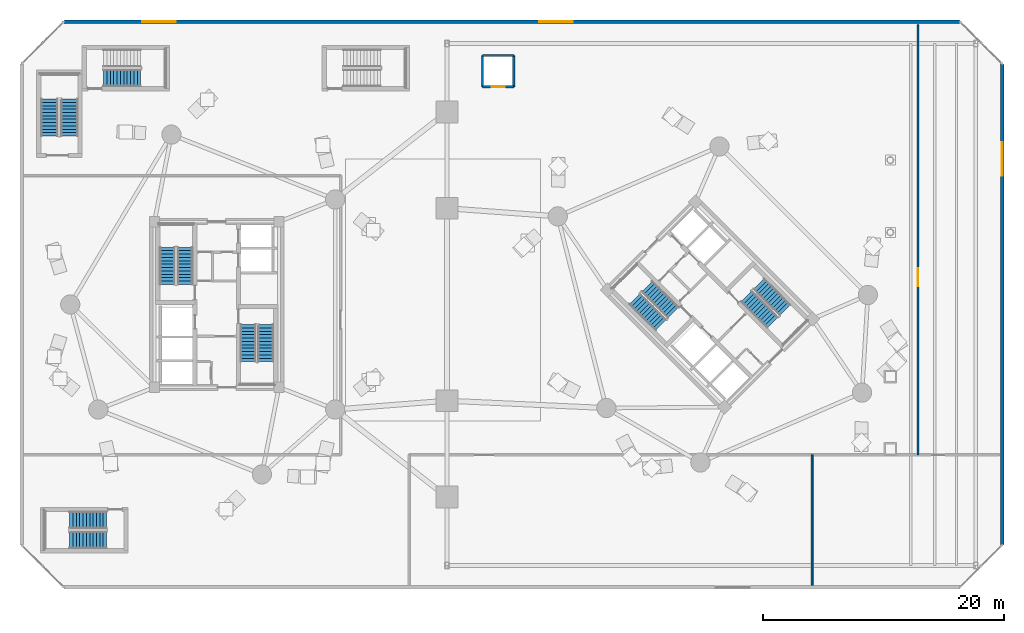
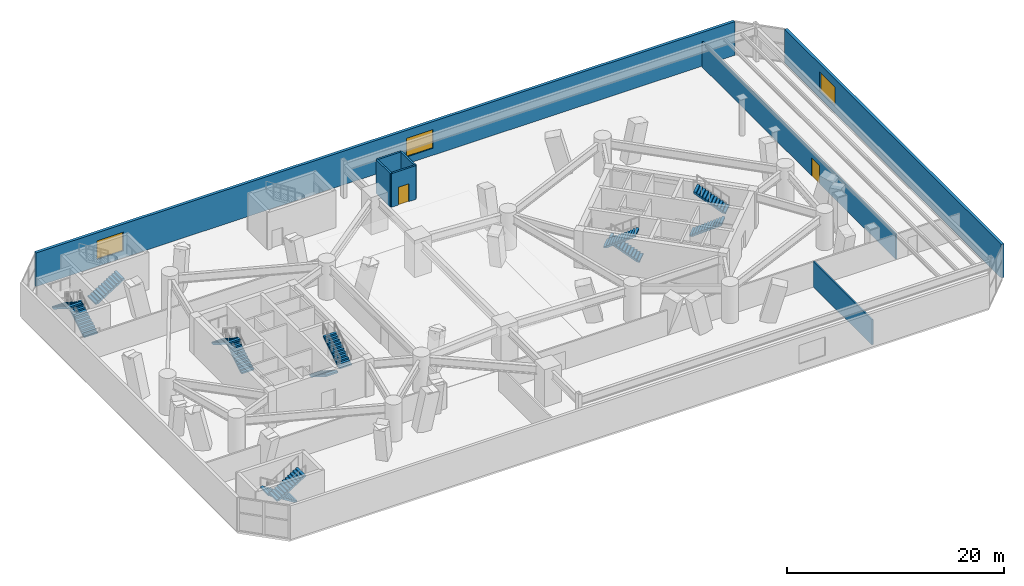
# One storey, part 14 of 20: 13 stair flights, 8 walls, 3 windows, 2 doors, 5 openings, 7 elements without a shape of their own.
"""IFC4 building model written with IfcOpenShell, lengths in metres."""

from ifc_helpers import new_model, si_unit, direction, frame, frame_2d, origin, place, context, subcontext, project, spatial, polyline, rectangle, outline, extrude, source, transform, mapped, material, layer, layer_set, type_object, element, fill, aggregate, save


model = new_model("IFC4")

# Units and contexts
model_context = context("Model", 3, precision=1e-05, world=origin(), true_north=direction((0.0, 1.0)))
body_context = subcontext(model_context, "Body", "Model", "MODEL_VIEW")
ifc_project = project(units=[si_unit("LENGTHUNIT", "METRE"), si_unit("AREAUNIT", "SQUARE_METRE"), si_unit("VOLUMEUNIT", "CUBIC_METRE"), si_unit("PLANEANGLEUNIT", "RADIAN"), si_unit("MASSUNIT", "GRAM", prefix="KILO")], contexts=[model_context])

# Site, building, storey
site_placement = place(None, origin())
site = spatial("IfcSite", under=ifc_project, at=site_placement, CompositionType="ELEMENT")
building_placement = place(site_placement, origin())
building = spatial("IfcBuilding", under=site, at=building_placement, Name="Cununo Teusaquillo Station Towers", CompositionType="ELEMENT")
storey_placement = place(building_placement, frame((0.0, 0.0, 13.199951171875)))
storey = spatial("IfcBuildingStorey", under=building, at=storey_placement, Name="L03", CompositionType="ELEMENT", Elevation=13.199951171875)

# Wall, openings, windows
ifc_material_1 = material(Name="Precast concrete C40/50", Category="concrete")
ifc_layer_1 = layer(ifc_material_1, 0.300048828125)
ifc_layer_set_1 = layer_set([ifc_layer_1], Name="Precast concrete C40/50")
wall_type_1 = type_object("IfcWallType", Name="WL-EXT-300", PredefinedType="SOLIDWALL", material=ifc_layer_set_1)
wall_1_placement = place(storey_placement, frame((3.800048828125, 48.0, 0.0), z_axis=(0.0, 0.0, 1.0), x_axis=(1.0, 0.0, 0.0)))
wall_1 = element("IfcWall", 1, at=wall_1_placement, inside=storey, type_object=wall_type_1, Name="L03 Station Podium Facade Wall 3", PredefinedType="SOLIDWALL", context=body_context, shape_type="SweptSolid", body=[
    extrude(rectangle(XDim=74.5, YDim=0.300048828125, at=frame_2d((37.25, 0.0))), origin(), (0.0, 0.0, 1.0), 3.800048828125),
])
shared_shape_1 = source(origin(), body_context, "Body", "SweptSolid", [
    extrude(rectangle(XDim=2.800048828125, YDim=2.10009765625, at=frame_2d((1.39990234375, 1.050048828125))), frame((0.0, 0.159912109375, 0.0), z_axis=(0.0, -1.0, 0.0), x_axis=(1.0, 0.0, 0.0)), (0.0, 0.0, 1.0), 0.320068359375),
])
opening_1_placement = place(wall_1_placement, frame((6.5, 0.0, 0.800048828125)))
opening_1 = element("IfcOpeningElement", 2, at=opening_1_placement, cuts=wall_1, Name="Opening WN-05", PredefinedType="OPENING", context=body_context, shape_type="MappedRepresentation", body=[
    mapped(shared_shape_1, transform((0.0, 0.0, 0.0), x_axis=(1.0, 0.0, 0.0), y_axis=(0.0, 1.0, 0.0), z_axis=(0.0, 0.0, 1.0), scale=1.0)),
])
opening_2_placement = place(wall_1_placement, frame((39.5, 0.0, 0.800048828125)))
opening_2 = element("IfcOpeningElement", 3, at=opening_2_placement, cuts=wall_1, Name="Opening WN-05", PredefinedType="OPENING", context=body_context, shape_type="MappedRepresentation", body=[
    mapped(shared_shape_1, transform((0.0, 0.0, 0.0), x_axis=(1.0, 0.0, 0.0), y_axis=(0.0, 1.0, 0.0), z_axis=(0.0, 0.0, 1.0), scale=1.0)),
])
ifc_material_2 = material(Name="Laminated acoustic clear low-E glazing", Category="glass")
window_type = type_object("IfcWindowType", Name="WIN-POD-2800", PartitioningType="TRIPLE_PANEL_VERTICAL", PredefinedType="WINDOW", material=ifc_material_2)
shared_shape_2 = source(origin(), body_context, "Body", "SweptSolid", [
    extrude(rectangle(XDim=2.800048828125, YDim=2.10009765625, at=frame_2d((1.39990234375, 1.050048828125))), frame((0.0, 0.030029296875, 0.0), z_axis=(0.0, -1.0, 0.0), x_axis=(1.0, 0.0, 0.0)), (0.0, 0.0, 1.0), 0.06005859375),
])
window_1_placement = place(opening_1_placement, origin())
window_1 = element("IfcWindow", 4, at=window_1_placement, inside=storey, type_object=window_type, Name="L03 Podium Ribbon Window 3.1", OverallHeight=2.10009765625, OverallWidth=2.800048828125, PartitioningType="TRIPLE_PANEL_VERTICAL", PredefinedType="WINDOW", context=body_context, shape_type="MappedRepresentation", body=[
    mapped(shared_shape_2, transform((0.0, 0.0, 0.0), x_axis=(1.0, 0.0, 0.0), y_axis=(0.0, 1.0, 0.0), z_axis=(0.0, 0.0, 1.0), scale=1.0)),
])
fill(opening_1, window_1)
window_2_placement = place(opening_2_placement, origin())
window_2 = element("IfcWindow", 5, at=window_2_placement, inside=storey, type_object=window_type, Name="L03 Podium Ribbon Window 3.4", OverallHeight=2.10009765625, OverallWidth=2.800048828125, PartitioningType="TRIPLE_PANEL_VERTICAL", PredefinedType="WINDOW", context=body_context, shape_type="MappedRepresentation", body=[
    mapped(shared_shape_2, transform((0.0, 0.0, 0.0), x_axis=(1.0, 0.0, 0.0), y_axis=(0.0, 1.0, 0.0), z_axis=(0.0, 0.0, 1.0), scale=1.0)),
])
fill(opening_2, window_2)

# Wall, opening, window
wall_2_placement = place(storey_placement, frame((81.800048828125, 44.5, 0.0), z_axis=(0.0, 0.0, 1.0), x_axis=(0.0, -1.0, 0.0)))
wall_2 = element("IfcWall", 6, at=wall_2_placement, inside=storey, type_object=wall_type_1, Name="L03 Station Podium Facade Wall 5", PredefinedType="SOLIDWALL", context=body_context, shape_type="SweptSolid", body=[
    extrude(rectangle(XDim=40.0, YDim=0.300048828125, at=frame_2d((20.0, 0.0))), origin(), (0.0, 0.0, 1.0), 3.800048828125),
])
opening_3_placement = place(wall_2_placement, frame((6.5, 0.0, 0.800048828125)))
opening_3 = element("IfcOpeningElement", 7, at=opening_3_placement, cuts=wall_2, Name="Opening WN-05", PredefinedType="OPENING", context=body_context, shape_type="MappedRepresentation", body=[
    mapped(shared_shape_1, transform((0.0, 0.0, 0.0), x_axis=(1.0, 0.0, 0.0), y_axis=(0.0, 1.0, 0.0), z_axis=(0.0, 0.0, 1.0), scale=1.0)),
])
window_3_placement = place(opening_3_placement, origin())
window_3 = element("IfcWindow", 8, at=window_3_placement, inside=storey, type_object=window_type, Name="L03 Podium Ribbon Window 5.1", OverallHeight=2.10009765625, OverallWidth=2.800048828125, PartitioningType="TRIPLE_PANEL_VERTICAL", PredefinedType="WINDOW", context=body_context, shape_type="MappedRepresentation", body=[
    mapped(shared_shape_2, transform((0.0, 0.0, 0.0), x_axis=(1.0, 0.0, 0.0), y_axis=(0.0, 1.0, 0.0), z_axis=(0.0, 0.0, 1.0), scale=1.0)),
])
fill(opening_3, window_3)

# Wall, opening, door
ifc_material_3 = material(Name="Fire-rated gypsum plasterboard partition assembly", Category="gypsum")
ifc_layer_2 = layer(ifc_material_3, 0.159912109375)
ifc_layer_set_2 = layer_set([ifc_layer_2], Name="Fire-rated gypsum plasterboard partition assembly")
wall_type_2 = type_object("IfcWallType", Name="WL-PART-160", PredefinedType="PARTITIONING", material=ifc_layer_set_2)
wall_3_placement = place(storey_placement, frame((74.800048828125, 12.0, 0.0), z_axis=(0.0, 0.0, 1.0), x_axis=(0.0, 1.0, 0.0)))
wall_3 = element("IfcWall", 9, at=wall_3_placement, inside=storey, type_object=wall_type_2, Name="L03 Station Gallery East Wing Wall", PredefinedType="PARTITIONING", context=body_context, shape_type="SweptSolid", body=[
    extrude(rectangle(XDim=35.75, YDim=0.159912109375, at=frame_2d((17.875, 0.0))), origin(), (0.0, 0.0, 1.0), 2.843994140625),
])
shared_shape_3 = source(origin(), body_context, "Body", "SweptSolid", [
    extrude(rectangle(XDim=1.5, YDim=2.02001953125, at=frame_2d((0.75, 1.010009765625))), frame((0.0, 0.08984375, 0.0), z_axis=(0.0, -1.0, 0.0), x_axis=(1.0, 0.0, 0.0)), (0.0, 0.0, 1.0), 0.179931640625),
])
opening_4_placement = place(wall_3_placement, frame((14.0, 0.0, 0.0)))
opening_4 = element("IfcOpeningElement", 10, at=opening_4_placement, cuts=wall_3, Name="Opening D-LB1", PredefinedType="OPENING", context=body_context, shape_type="MappedRepresentation", body=[
    mapped(shared_shape_3, transform((0.0, 0.0, 0.0), x_axis=(1.0, 0.0, 0.0), y_axis=(0.0, 1.0, 0.0), z_axis=(0.0, 0.0, 1.0), scale=1.0)),
])
ifc_material_4 = material(Name="Galvanised fire-rated hollow steel door assembly", Category="steel")
door_type_1 = type_object("IfcDoorType", Name="DR-LOBBY-1500", OperationType="DOUBLE_DOOR_SINGLE_SWING", PredefinedType="DOOR", material=ifc_material_4)
shared_shape_4 = source(origin(), body_context, "Body", "SweptSolid", [
    extrude(rectangle(XDim=1.5, YDim=2.02001953125, at=frame_2d((0.75, 1.010009765625))), frame((0.0, 0.02490234375, 0.0), z_axis=(0.0, -1.0, 0.0), x_axis=(1.0, 0.0, 0.0)), (0.0, 0.0, 1.0), 0.050048828125),
])
door_1_placement = place(opening_4_placement, origin())
door_1 = element("IfcDoor", 11, at=door_1_placement, inside=storey, type_object=door_type_1, Name="L03 East Wing Door", OperationType="DOUBLE_DOOR_SINGLE_SWING", OverallHeight=2.02001953125, OverallWidth=1.5, PredefinedType="DOOR", context=body_context, shape_type="MappedRepresentation", body=[
    mapped(shared_shape_4, transform((0.0, 0.0, 0.0), x_axis=(1.0, 0.0, 0.0), y_axis=(0.0, 1.0, 0.0), z_axis=(0.0, 0.0, 1.0), scale=1.0)),
])
fill(opening_4, door_1)

# Wall
wall_4_placement = place(storey_placement, frame((66.0, 1.14990234375, 0.0), z_axis=(0.0, 0.0, 1.0), x_axis=(0.0, 1.0, 0.0)))
element("IfcWall", 12, at=wall_4_placement, inside=storey, type_object=wall_type_2, Name="L03 Public Restroom Divider Wall", PredefinedType="PARTITIONING", context=body_context, shape_type="SweptSolid", body=[
    extrude(rectangle(XDim=10.85009765625, YDim=0.159912109375, at=frame_2d((5.425048828125, 0.0))), origin(), (0.0, 0.0, 1.0), 2.843994140625),
])

# Wall, opening, door
ifc_material_5 = material(Name="Fire-rated gypsum plasterboard partition assembly", Category="gypsum")
ifc_layer_3 = layer(ifc_material_5, 0.199951171875)
ifc_layer_set_3 = layer_set([ifc_layer_3], Name="Fire-rated gypsum plasterboard partition assembly")
wall_type_3 = type_object("IfcWallType", Name="WL-PART-200", PredefinedType="PARTITIONING", material=ifc_layer_set_3)
wall_5_placement = place(storey_placement, frame((38.60009765625, 42.60009765625, 0.0), z_axis=(0.0, 0.0, 1.0), x_axis=(1.0, 0.0, 0.0)))
wall_5 = element("IfcWall", 13, at=wall_5_placement, inside=storey, type_object=wall_type_3, Name="L03 Podium Lift Shaft Enclosure Wall S", PredefinedType="PARTITIONING", context=body_context, shape_type="SweptSolid", body=[
    extrude(rectangle(XDim=2.599853515625, YDim=0.199951171875, at=frame_2d((1.2998046875, 0.0))), origin(), (0.0, 0.0, 1.0), 3.800048828125),
])
shared_shape_5 = source(origin(), body_context, "Body", "SweptSolid", [
    extrude(rectangle(XDim=1.10009765625, YDim=2.014892578125, at=frame_2d((0.550048828125, 1.00732421875))), frame((0.0, 0.10986328125, 0.0), z_axis=(0.0, -1.0, 0.0), x_axis=(1.0, 0.0, 0.0)), (0.0, 0.0, 1.0), 0.219970703125),
])
opening_5_placement = place(wall_5_placement, frame((0.75, 0.0, 0.0)))
opening_5 = element("IfcOpeningElement", 14, at=opening_5_placement, cuts=wall_5, Name="Opening LD-01", PredefinedType="OPENING", context=body_context, shape_type="MappedRepresentation", body=[
    mapped(shared_shape_5, transform((0.0, 0.0, 0.0), x_axis=(1.0, 0.0, 0.0), y_axis=(0.0, 1.0, 0.0), z_axis=(0.0, 0.0, 1.0), scale=1.0)),
])
ifc_material_6 = material(Name="Galvanised fire-rated hollow steel door assembly", Category="steel")
door_type_2 = type_object("IfcDoorType", Name="DR-LIFT-1100", OperationType="SLIDING_TO_LEFT", PredefinedType="DOOR", material=ifc_material_6)
shared_shape_6 = source(origin(), body_context, "Body", "SweptSolid", [
    extrude(rectangle(XDim=1.10009765625, YDim=2.014892578125, at=frame_2d((0.550048828125, 1.00732421875))), frame((0.0, 0.02490234375, 0.0), z_axis=(0.0, -1.0, 0.0), x_axis=(1.0, 0.0, 0.0)), (0.0, 0.0, 1.0), 0.050048828125),
])
door_2_placement = place(opening_5_placement, origin())
door_2 = element("IfcDoor", 15, at=door_2_placement, inside=storey, type_object=door_type_2, Name="L03 Lift PL-POD1 Sliding Landing Door", OperationType="SLIDING_TO_RIGHT", OverallHeight=2.014892578125, OverallWidth=1.10009765625, PredefinedType="DOOR", context=body_context, shape_type="MappedRepresentation", body=[
    mapped(shared_shape_6, transform((0.0, 0.0, 0.0), x_axis=(1.0, 0.0, 0.0), y_axis=(0.0, 1.0, 0.0), z_axis=(0.0, 0.0, 1.0), scale=1.0)),
])
fill(opening_5, door_2)

# Walls
for number, where, z_axis, x_axis, name in (
    (16, (38.60009765625, 45.199951171875, 0.0), (0.0, 0.0, 1.0), (1.0, 0.0, 0.0), "L03 Podium Lift Shaft Enclosure Wall N"),
    (17, (38.60009765625, 42.60009765625, 0.0), (0.0, 0.0, 1.0), (0.0, 1.0, 0.0), "L03 Podium Lift Shaft Enclosure Wall W"),
    (18, (41.199951171875, 42.60009765625, 0.0), (0.0, 0.0, 1.0), (0.0, 1.0, 0.0), "L03 Podium Lift Shaft Enclosure Wall E"),
):
    element("IfcWall", number, at=place(storey_placement, frame(where, z_axis=z_axis, x_axis=x_axis)), inside=storey, type_object=wall_type_3, Name=name, PredefinedType="PARTITIONING", context=body_context, shape_type="SweptSolid", body=[
        extrude(rectangle(XDim=2.599853515625, YDim=0.199951171875, at=frame_2d((1.2998046875, 0.0))), origin(), (0.0, 0.0, 1.0), 3.800048828125),
    ])

# Stair, stair flights
ifc_material_7 = material(Name="Concrete C50/60", Category="concrete")
stair_type_1 = type_object("IfcStairType", Name="ST-POD-1450", PredefinedType="HALF_TURN_STAIR", material=ifc_material_7)
stair_1_placement = place(storey_placement, origin())
stair_1 = element("IfcStair", 19, at=stair_1_placement, inside=storey, type_object=stair_type_1, Name="L03 Station Podium South Protected Exit Stair", PredefinedType="HALF_TURN_STAIR")
ifc_material_8 = material(Name="Concrete C50/60", Category="concrete")
stair_flight_type_1 = type_object("IfcStairFlightType", Name="SFL-POD-1450", PredefinedType="STRAIGHT", material=ifc_material_8)
stair_flight_1_placement = place(storey_placement, frame((7.35009765625, 6.574951171875, 0.0), z_axis=(0.0, 0.0, 1.0), x_axis=(-1.0, 0.0, 0.0)))
stair_flight_1 = element("IfcStairFlight", 20, at=stair_flight_1_placement, type_object=stair_flight_type_1, Name="ST-POD-S flight 1", NumberOfRisers=12, NumberOfTreads=11, PredefinedType="STRAIGHT", RiserHeight=0.175, TreadLength=0.28, context=body_context, shape_type="SweptSolid", body=[
    extrude(outline(polyline([(0.0, 0.0), (0.0, 0.175048828125), (0.280029296875, 0.175048828125), (0.280029296875, 0.35009765625), (0.56005859375, 0.35009765625), (0.56005859375, 0.52490234375), (0.840087890625, 0.52490234375), (0.840087890625, 0.699951171875), (1.1201171875, 0.699951171875), (1.1201171875, 0.875), (1.39990234375, 0.875), (1.39990234375, 1.050048828125), (1.679931640625, 1.050048828125), (1.679931640625, 1.22509765625), (1.9599609375, 1.22509765625), (1.9599609375, 1.39990234375), (2.239990234375, 1.39990234375), (2.239990234375, 1.574951171875), (2.52001953125, 1.574951171875), (2.52001953125, 1.75), (2.800048828125, 1.75), (2.800048828125, 1.925048828125), (3.080078125, 1.925048828125), (3.080078125, 2.10009765625), (3.080078125, 1.748291015625), (0.28271484375, 0.0), (0.0, 0.0)])), frame((0.0, 0.72509765625, 0.0), z_axis=(0.0, -1.0, 0.0), x_axis=(1.0, 0.0, 0.0)), (0.0, 0.0, 1.0), 1.449951171875),
])
stair_flight_2_placement = place(storey_placement, frame((4.27001953125, 4.925048828125, 2.10009765625), z_axis=(0.0, 0.0, 1.0), x_axis=(1.0, 0.0, 0.0)))
stair_flight_2 = element("IfcStairFlight", 21, at=stair_flight_2_placement, type_object=stair_flight_type_1, Name="ST-POD-S flight 2", NumberOfRisers=12, NumberOfTreads=11, PredefinedType="STRAIGHT", RiserHeight=0.175, TreadLength=0.28, context=body_context, shape_type="SweptSolid", body=[
    extrude(outline(polyline([(0.0, 0.0), (0.0, 0.175048828125), (0.280029296875, 0.175048828125), (0.280029296875, 0.35009765625), (0.56005859375, 0.35009765625), (0.56005859375, 0.52490234375), (0.840087890625, 0.52490234375), (0.840087890625, 0.699951171875), (1.1201171875, 0.699951171875), (1.1201171875, 0.875), (1.39990234375, 0.875), (1.39990234375, 1.050048828125), (1.679931640625, 1.050048828125), (1.679931640625, 1.22509765625), (1.9599609375, 1.22509765625), (1.9599609375, 1.39990234375), (2.239990234375, 1.39990234375), (2.239990234375, 1.574951171875), (2.52001953125, 1.574951171875), (2.52001953125, 1.75), (2.800048828125, 1.75), (2.800048828125, 1.925048828125), (3.080078125, 1.925048828125), (3.080078125, 2.10009765625), (3.080078125, 1.748291015625), (0.28271484375, 0.0), (0.0, 0.0)])), frame((0.0, 0.72509765625, 0.0), z_axis=(0.0, -1.0, 0.0), x_axis=(1.0, 0.0, 0.0)), (0.0, 0.0, 1.0), 1.449951171875),
])
aggregate(stair_1, [stair_flight_1, stair_flight_2])

stair_2_placement = place(storey_placement, origin())
stair_2 = element("IfcStair", 22, at=stair_2_placement, inside=storey, type_object=stair_type_1, Name="L03 Station Podium West Protected Exit Stair", PredefinedType="HALF_TURN_STAIR")
stair_flight_3_placement = place(storey_placement, frame((4.2548828125, 38.5, 0.0), z_axis=(0.0, 0.0, 1.0), x_axis=(0.0, 1.0, 0.0)))
stair_flight_3 = element("IfcStairFlight", 23, at=stair_flight_3_placement, type_object=stair_flight_type_1, Name="ST-POD-W flight 1", NumberOfRisers=12, NumberOfTreads=11, PredefinedType="STRAIGHT", RiserHeight=0.175, TreadLength=0.28, context=body_context, shape_type="SweptSolid", body=[
    extrude(outline(polyline([(0.0, 0.0), (0.0, 0.175048828125), (0.280029296875, 0.175048828125), (0.280029296875, 0.35009765625), (0.56005859375, 0.35009765625), (0.56005859375, 0.52490234375), (0.840087890625, 0.52490234375), (0.840087890625, 0.699951171875), (1.1201171875, 0.699951171875), (1.1201171875, 0.875), (1.39990234375, 0.875), (1.39990234375, 1.050048828125), (1.679931640625, 1.050048828125), (1.679931640625, 1.22509765625), (1.9599609375, 1.22509765625), (1.9599609375, 1.39990234375), (2.239990234375, 1.39990234375), (2.239990234375, 1.574951171875), (2.52001953125, 1.574951171875), (2.52001953125, 1.75), (2.800048828125, 1.75), (2.800048828125, 1.925048828125), (3.080078125, 1.925048828125), (3.080078125, 2.10009765625), (3.080078125, 1.748291015625), (0.28271484375, 0.0), (0.0, 0.0)])), frame((0.0, 0.72509765625, 0.0), z_axis=(0.0, -1.0, 0.0), x_axis=(1.0, 0.0, 0.0)), (0.0, 0.0, 1.0), 1.449951171875),
])
stair_flight_4_placement = place(storey_placement, frame((2.60498046875, 41.580078125, 2.10009765625), z_axis=(0.0, 0.0, 1.0), x_axis=(0.0, -1.0, 0.0)))
stair_flight_4 = element("IfcStairFlight", 24, at=stair_flight_4_placement, type_object=stair_flight_type_1, Name="ST-POD-W flight 2", NumberOfRisers=12, NumberOfTreads=11, PredefinedType="STRAIGHT", RiserHeight=0.175, TreadLength=0.28, context=body_context, shape_type="SweptSolid", body=[
    extrude(outline(polyline([(0.0, 0.0), (0.0, 0.175048828125), (0.280029296875, 0.175048828125), (0.280029296875, 0.35009765625), (0.56005859375, 0.35009765625), (0.56005859375, 0.52490234375), (0.840087890625, 0.52490234375), (0.840087890625, 0.699951171875), (1.1201171875, 0.699951171875), (1.1201171875, 0.875), (1.39990234375, 0.875), (1.39990234375, 1.050048828125), (1.679931640625, 1.050048828125), (1.679931640625, 1.22509765625), (1.9599609375, 1.22509765625), (1.9599609375, 1.39990234375), (2.239990234375, 1.39990234375), (2.239990234375, 1.574951171875), (2.52001953125, 1.574951171875), (2.52001953125, 1.75), (2.800048828125, 1.75), (2.800048828125, 1.925048828125), (3.080078125, 1.925048828125), (3.080078125, 2.10009765625), (3.080078125, 1.748291015625), (0.28271484375, 0.0), (0.0, 0.0)])), frame((0.0, 0.72509765625, 0.0), z_axis=(0.0, -1.0, 0.0), x_axis=(1.0, 0.0, 0.0)), (0.0, 0.0, 1.0), 1.449951171875),
])
aggregate(stair_2, [stair_flight_3, stair_flight_4])

# Stair, stair flight
stair_3_placement = place(storey_placement, origin())
stair_3 = element("IfcStair", 25, at=stair_3_placement, inside=storey, type_object=stair_type_1, Name="L03 Station Podium North-West Protected Exit Stair", PredefinedType="HALF_TURN_STAIR")
stair_flight_5_placement = place(storey_placement, frame((7.10009765625, 43.324951171875, 0.0), z_axis=(0.0, 0.0, 1.0), x_axis=(1.0, 0.0, 0.0)))
stair_flight_5 = element("IfcStairFlight", 26, at=stair_flight_5_placement, type_object=stair_flight_type_1, Name="ST-POD-C flight 1", NumberOfRisers=12, NumberOfTreads=11, PredefinedType="STRAIGHT", RiserHeight=0.175, TreadLength=0.28, context=body_context, shape_type="SweptSolid", body=[
    extrude(outline(polyline([(0.0, 0.0), (0.0, 0.175048828125), (0.280029296875, 0.175048828125), (0.280029296875, 0.35009765625), (0.56005859375, 0.35009765625), (0.56005859375, 0.52490234375), (0.840087890625, 0.52490234375), (0.840087890625, 0.699951171875), (1.1201171875, 0.699951171875), (1.1201171875, 0.875), (1.39990234375, 0.875), (1.39990234375, 1.050048828125), (1.679931640625, 1.050048828125), (1.679931640625, 1.22509765625), (1.9599609375, 1.22509765625), (1.9599609375, 1.39990234375), (2.239990234375, 1.39990234375), (2.239990234375, 1.574951171875), (2.52001953125, 1.574951171875), (2.52001953125, 1.75), (2.800048828125, 1.75), (2.800048828125, 1.925048828125), (3.080078125, 1.925048828125), (3.080078125, 2.10009765625), (3.080078125, 1.748291015625), (0.28271484375, 0.0), (0.0, 0.0)])), frame((0.0, 0.72509765625, 0.0), z_axis=(0.0, -1.0, 0.0), x_axis=(1.0, 0.0, 0.0)), (0.0, 0.0, 1.0), 1.449951171875),
])
aggregate(stair_3, [stair_flight_5])

# Stair, stair flights
ifc_material_9 = material(Name="Concrete C50/60", Category="concrete")
stair_type_2 = type_object("IfcStairType", Name="ST-TWR-1300", PredefinedType="HALF_TURN_STAIR", material=ifc_material_9)
stair_4_placement = place(storey_placement, origin())
stair_4 = element("IfcStair", 27, at=stair_4_placement, inside=storey, type_object=stair_type_2, Name="L03 Tower A Protected Core Exit Stair 1", PredefinedType="HALF_TURN_STAIR")
ifc_material_10 = material(Name="Concrete C50/60", Category="concrete")
stair_flight_type_2 = type_object("IfcStairFlightType", Name="SFL-TWR-1300", PredefinedType="STRAIGHT", material=ifc_material_10)
stair_flight_6_placement = place(storey_placement, frame((13.8701171875, 26.169921875, 0.0), z_axis=(0.0, 0.0, 1.0), x_axis=(0.0, 1.0, 0.0)))
stair_flight_6 = element("IfcStairFlight", 28, at=stair_flight_6_placement, type_object=stair_flight_type_2, Name="ST-T1-1 flight 1", NumberOfRisers=12, NumberOfTreads=11, PredefinedType="STRAIGHT", RiserHeight=0.175, TreadLength=0.28, context=body_context, shape_type="SweptSolid", body=[
    extrude(outline(polyline([(0.0, 0.0), (0.0, 0.175048828125), (0.280029296875, 0.175048828125), (0.280029296875, 0.35009765625), (0.56005859375, 0.35009765625), (0.56005859375, 0.52490234375), (0.840087890625, 0.52490234375), (0.840087890625, 0.699951171875), (1.1201171875, 0.699951171875), (1.1201171875, 0.875), (1.39990234375, 0.875), (1.39990234375, 1.050048828125), (1.679931640625, 1.050048828125), (1.679931640625, 1.22509765625), (1.9599609375, 1.22509765625), (1.9599609375, 1.39990234375), (2.239990234375, 1.39990234375), (2.239990234375, 1.574951171875), (2.52001953125, 1.574951171875), (2.52001953125, 1.75), (2.800048828125, 1.75), (2.800048828125, 1.925048828125), (3.080078125, 1.925048828125), (3.080078125, 2.10009765625), (3.080078125, 1.748291015625), (0.28271484375, 0.0), (0.0, 0.0)])), frame((0.0, 0.64990234375, 0.0), z_axis=(0.0, -1.0, 0.0), x_axis=(1.0, 0.0, 0.0)), (0.0, 0.0, 1.0), 1.300048828125),
])
stair_flight_7_placement = place(storey_placement, frame((12.409912109375, 29.25, 2.10009765625), z_axis=(0.0, 0.0, 1.0), x_axis=(0.0, -1.0, 0.0)))
stair_flight_7 = element("IfcStairFlight", 29, at=stair_flight_7_placement, type_object=stair_flight_type_2, Name="ST-T1-1 flight 2", NumberOfRisers=12, NumberOfTreads=11, PredefinedType="STRAIGHT", RiserHeight=0.175, TreadLength=0.28, context=body_context, shape_type="SweptSolid", body=[
    extrude(outline(polyline([(0.0, 0.0), (0.0, 0.175048828125), (0.280029296875, 0.175048828125), (0.280029296875, 0.35009765625), (0.56005859375, 0.35009765625), (0.56005859375, 0.52490234375), (0.840087890625, 0.52490234375), (0.840087890625, 0.699951171875), (1.1201171875, 0.699951171875), (1.1201171875, 0.875), (1.39990234375, 0.875), (1.39990234375, 1.050048828125), (1.679931640625, 1.050048828125), (1.679931640625, 1.22509765625), (1.9599609375, 1.22509765625), (1.9599609375, 1.39990234375), (2.239990234375, 1.39990234375), (2.239990234375, 1.574951171875), (2.52001953125, 1.574951171875), (2.52001953125, 1.75), (2.800048828125, 1.75), (2.800048828125, 1.925048828125), (3.080078125, 1.925048828125), (3.080078125, 2.10009765625), (3.080078125, 1.748291015625), (0.28271484375, 0.0), (0.0, 0.0)])), frame((0.0, 0.64990234375, 0.0), z_axis=(0.0, -1.0, 0.0), x_axis=(1.0, 0.0, 0.0)), (0.0, 0.0, 1.0), 1.300048828125),
])
aggregate(stair_4, [stair_flight_6, stair_flight_7])

stair_5_placement = place(storey_placement, origin())
stair_5 = element("IfcStair", 30, at=stair_5_placement, inside=storey, type_object=stair_type_2, Name="L03 Tower A Protected Core Exit Stair 2", PredefinedType="HALF_TURN_STAIR")
stair_flight_8_placement = place(storey_placement, frame((19.1298828125, 22.830078125, 0.0), z_axis=(0.0, 0.0, 1.0), x_axis=(0.0, -1.0, 0.0)))
stair_flight_8 = element("IfcStairFlight", 31, at=stair_flight_8_placement, type_object=stair_flight_type_2, Name="ST-T1-2 flight 1", NumberOfRisers=12, NumberOfTreads=11, PredefinedType="STRAIGHT", RiserHeight=0.175, TreadLength=0.28, context=body_context, shape_type="SweptSolid", body=[
    extrude(outline(polyline([(0.0, 0.0), (0.0, 0.175048828125), (0.280029296875, 0.175048828125), (0.280029296875, 0.35009765625), (0.56005859375, 0.35009765625), (0.56005859375, 0.52490234375), (0.840087890625, 0.52490234375), (0.840087890625, 0.699951171875), (1.1201171875, 0.699951171875), (1.1201171875, 0.875), (1.39990234375, 0.875), (1.39990234375, 1.050048828125), (1.679931640625, 1.050048828125), (1.679931640625, 1.22509765625), (1.9599609375, 1.22509765625), (1.9599609375, 1.39990234375), (2.239990234375, 1.39990234375), (2.239990234375, 1.574951171875), (2.52001953125, 1.574951171875), (2.52001953125, 1.75), (2.800048828125, 1.75), (2.800048828125, 1.925048828125), (3.080078125, 1.925048828125), (3.080078125, 2.10009765625), (3.080078125, 1.748291015625), (0.28271484375, 0.0), (0.0, 0.0)])), frame((0.0, 0.64990234375, 0.0), z_axis=(0.0, -1.0, 0.0), x_axis=(1.0, 0.0, 0.0)), (0.0, 0.0, 1.0), 1.300048828125),
])
stair_flight_9_placement = place(storey_placement, frame((20.590087890625, 19.75, 2.10009765625), z_axis=(0.0, 0.0, 1.0), x_axis=(0.0, 1.0, 0.0)))
stair_flight_9 = element("IfcStairFlight", 32, at=stair_flight_9_placement, type_object=stair_flight_type_2, Name="ST-T1-2 flight 2", NumberOfRisers=12, NumberOfTreads=11, PredefinedType="STRAIGHT", RiserHeight=0.175, TreadLength=0.28, context=body_context, shape_type="SweptSolid", body=[
    extrude(outline(polyline([(0.0, 0.0), (0.0, 0.175048828125), (0.280029296875, 0.175048828125), (0.280029296875, 0.35009765625), (0.56005859375, 0.35009765625), (0.56005859375, 0.52490234375), (0.840087890625, 0.52490234375), (0.840087890625, 0.699951171875), (1.1201171875, 0.699951171875), (1.1201171875, 0.875), (1.39990234375, 0.875), (1.39990234375, 1.050048828125), (1.679931640625, 1.050048828125), (1.679931640625, 1.22509765625), (1.9599609375, 1.22509765625), (1.9599609375, 1.39990234375), (2.239990234375, 1.39990234375), (2.239990234375, 1.574951171875), (2.52001953125, 1.574951171875), (2.52001953125, 1.75), (2.800048828125, 1.75), (2.800048828125, 1.925048828125), (3.080078125, 1.925048828125), (3.080078125, 2.10009765625), (3.080078125, 1.748291015625), (0.28271484375, 0.0), (0.0, 0.0)])), frame((0.0, 0.64990234375, 0.0), z_axis=(0.0, -1.0, 0.0), x_axis=(1.0, 0.0, 0.0)), (0.0, 0.0, 1.0), 1.300048828125),
])
aggregate(stair_5, [stair_flight_8, stair_flight_9])

stair_6_placement = place(storey_placement, origin())
stair_6 = element("IfcStair", 33, at=stair_6_placement, inside=storey, type_object=stair_type_2, Name="L03 Tower B Protected Core Exit Stair 1", PredefinedType="HALF_TURN_STAIR")
stair_flight_10_placement = place(storey_placement, frame((54.45947265625, 23.8212890625, 0.0), z_axis=(0.0, 0.0, 1.0), x_axis=(-0.707106781187, 0.707106781187, 0.0)))
stair_flight_10 = element("IfcStairFlight", 34, at=stair_flight_10_placement, type_object=stair_flight_type_2, Name="ST-T2-1 flight 1", NumberOfRisers=12, NumberOfTreads=11, PredefinedType="STRAIGHT", RiserHeight=0.175, TreadLength=0.28, context=body_context, shape_type="SweptSolid", body=[
    extrude(outline(polyline([(0.0, 0.0), (0.0, 0.175048828125), (0.280029296875, 0.175048828125), (0.280029296875, 0.35009765625), (0.56005859375, 0.35009765625), (0.56005859375, 0.52490234375), (0.840087890625, 0.52490234375), (0.840087890625, 0.699951171875), (1.1201171875, 0.699951171875), (1.1201171875, 0.875), (1.39990234375, 0.875), (1.39990234375, 1.050048828125), (1.679931640625, 1.050048828125), (1.679931640625, 1.22509765625), (1.9599609375, 1.22509765625), (1.9599609375, 1.39990234375), (2.239990234375, 1.39990234375), (2.239990234375, 1.574951171875), (2.52001953125, 1.574951171875), (2.52001953125, 1.75), (2.800048828125, 1.75), (2.800048828125, 1.925048828125), (3.080078125, 1.925048828125), (3.080078125, 2.10009765625), (3.080078125, 1.748291015625), (0.28271484375, 0.0), (0.0, 0.0)])), frame((0.0, 0.64990234375, 0.0), z_axis=(0.0, -1.0, 0.0), x_axis=(1.0, 0.0, 0.0)), (0.0, 0.0, 1.0), 1.300048828125),
])
stair_flight_11_placement = place(storey_placement, frame((51.249267578125, 24.966796875, 2.10009765625), z_axis=(0.0, 0.0, 1.0), x_axis=(0.707106781187, -0.707106781187, 0.0)))
stair_flight_11 = element("IfcStairFlight", 35, at=stair_flight_11_placement, type_object=stair_flight_type_2, Name="ST-T2-1 flight 2", NumberOfRisers=12, NumberOfTreads=11, PredefinedType="STRAIGHT", RiserHeight=0.175, TreadLength=0.28, context=body_context, shape_type="SweptSolid", body=[
    extrude(outline(polyline([(0.0, 0.0), (0.0, 0.175048828125), (0.280029296875, 0.175048828125), (0.280029296875, 0.35009765625), (0.56005859375, 0.35009765625), (0.56005859375, 0.52490234375), (0.840087890625, 0.52490234375), (0.840087890625, 0.699951171875), (1.1201171875, 0.699951171875), (1.1201171875, 0.875), (1.39990234375, 0.875), (1.39990234375, 1.050048828125), (1.679931640625, 1.050048828125), (1.679931640625, 1.22509765625), (1.9599609375, 1.22509765625), (1.9599609375, 1.39990234375), (2.239990234375, 1.39990234375), (2.239990234375, 1.574951171875), (2.52001953125, 1.574951171875), (2.52001953125, 1.75), (2.800048828125, 1.75), (2.800048828125, 1.925048828125), (3.080078125, 1.925048828125), (3.080078125, 2.10009765625), (3.080078125, 1.748291015625), (0.28271484375, 0.0), (0.0, 0.0)])), frame((0.0, 0.64990234375, 0.0), z_axis=(0.0, -1.0, 0.0), x_axis=(1.0, 0.0, 0.0)), (0.0, 0.0, 1.0), 1.300048828125),
])
aggregate(stair_6, [stair_flight_10, stair_flight_11])

stair_7_placement = place(storey_placement, origin())
stair_7 = element("IfcStair", 36, at=stair_7_placement, inside=storey, type_object=stair_type_2, Name="L03 Tower B Protected Core Exit Stair 2", PredefinedType="HALF_TURN_STAIR")
stair_flight_12_placement = place(storey_placement, frame((60.54052734375, 25.1787109375, 0.0), z_axis=(0.0, 0.0, 1.0), x_axis=(0.707106781187, -0.707106781187, 0.0)))
stair_flight_12 = element("IfcStairFlight", 37, at=stair_flight_12_placement, type_object=stair_flight_type_2, Name="ST-T2-2 flight 1", NumberOfRisers=12, NumberOfTreads=11, PredefinedType="STRAIGHT", RiserHeight=0.175, TreadLength=0.28, context=body_context, shape_type="SweptSolid", body=[
    extrude(outline(polyline([(0.0, 0.0), (0.0, 0.175048828125), (0.280029296875, 0.175048828125), (0.280029296875, 0.35009765625), (0.56005859375, 0.35009765625), (0.56005859375, 0.52490234375), (0.840087890625, 0.52490234375), (0.840087890625, 0.699951171875), (1.1201171875, 0.699951171875), (1.1201171875, 0.875), (1.39990234375, 0.875), (1.39990234375, 1.050048828125), (1.679931640625, 1.050048828125), (1.679931640625, 1.22509765625), (1.9599609375, 1.22509765625), (1.9599609375, 1.39990234375), (2.239990234375, 1.39990234375), (2.239990234375, 1.574951171875), (2.52001953125, 1.574951171875), (2.52001953125, 1.75), (2.800048828125, 1.75), (2.800048828125, 1.925048828125), (3.080078125, 1.925048828125), (3.080078125, 2.10009765625), (3.080078125, 1.748291015625), (0.28271484375, 0.0), (0.0, 0.0)])), frame((0.0, 0.64990234375, 0.0), z_axis=(0.0, -1.0, 0.0), x_axis=(1.0, 0.0, 0.0)), (0.0, 0.0, 1.0), 1.300048828125),
])
stair_flight_13_placement = place(storey_placement, frame((63.750732421875, 24.033203125, 2.10009765625), z_axis=(0.0, 0.0, 1.0), x_axis=(-0.707106781187, 0.707106781187, 0.0)))
stair_flight_13 = element("IfcStairFlight", 38, at=stair_flight_13_placement, type_object=stair_flight_type_2, Name="ST-T2-2 flight 2", NumberOfRisers=12, NumberOfTreads=11, PredefinedType="STRAIGHT", RiserHeight=0.175, TreadLength=0.28, context=body_context, shape_type="SweptSolid", body=[
    extrude(outline(polyline([(0.0, 0.0), (0.0, 0.175048828125), (0.280029296875, 0.175048828125), (0.280029296875, 0.35009765625), (0.56005859375, 0.35009765625), (0.56005859375, 0.52490234375), (0.840087890625, 0.52490234375), (0.840087890625, 0.699951171875), (1.1201171875, 0.699951171875), (1.1201171875, 0.875), (1.39990234375, 0.875), (1.39990234375, 1.050048828125), (1.679931640625, 1.050048828125), (1.679931640625, 1.22509765625), (1.9599609375, 1.22509765625), (1.9599609375, 1.39990234375), (2.239990234375, 1.39990234375), (2.239990234375, 1.574951171875), (2.52001953125, 1.574951171875), (2.52001953125, 1.75), (2.800048828125, 1.75), (2.800048828125, 1.925048828125), (3.080078125, 1.925048828125), (3.080078125, 2.10009765625), (3.080078125, 1.748291015625), (0.28271484375, 0.0), (0.0, 0.0)])), frame((0.0, 0.64990234375, 0.0), z_axis=(0.0, -1.0, 0.0), x_axis=(1.0, 0.0, 0.0)), (0.0, 0.0, 1.0), 1.300048828125),
])
aggregate(stair_7, [stair_flight_12, stair_flight_13])

save(model, "model.ifc")
